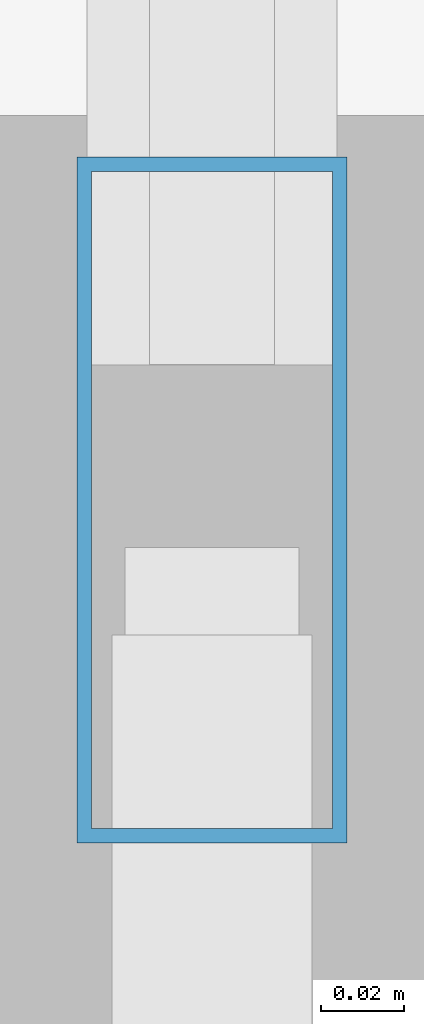
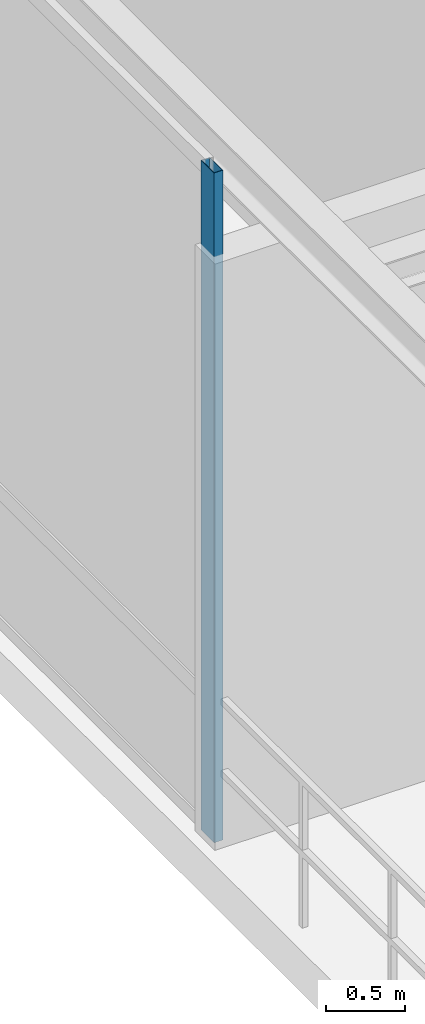
# One storey, part 5 of 21: 1 member, 1 element without a shape of its own.
"""IFC4 building model written with IfcOpenShell, lengths in metres."""

import ifcopenshell
import ifcopenshell.guid

model = None  # the IFC model being written
_history = None  # IfcOwnerHistory: only IFC2X3 demands one
_inside = {}  # id of a spatial element -> (the spatial element, [elements in it])
_under = {}  # id of a project, library or spatial element -> (it, [spatial elements below it])
_declared = {}  # id of a project -> (the project, [libraries it declares])
_typed = {}  # id of a type object -> (the type object, [elements of that type])
_made_of = {}  # id of a material, layer set ... -> (it, [elements and type objects made of it])


def new_model(schema):
    """Start an empty IFC model of exactly this schema.

    Asked for "IFC4X3", IfcOpenShell would pick the latest addendum, in which some entities
    have other attributes; the version numbers below select the first issue.
    IFC2X3 requires an IfcOwnerHistory on every rooted entity: one is made here for all.
    """
    global model, _history
    if schema == "IFC4X3":
        model = ifcopenshell.file(schema_version=(4, 3, 0, 0))
    else:
        model = ifcopenshell.file(schema=schema)
    _inside.clear()
    _under.clear()
    _declared.clear()
    _typed.clear()
    _made_of.clear()
    _history = None
    if model.schema == "IFC2X3":
        org = make("IfcOrganization", Name="unknown")
        user = make(
            "IfcPersonAndOrganization",
            ThePerson=make("IfcPerson", FamilyName="unknown"),
            TheOrganization=org,
        )
        app = make(
            "IfcApplication",
            ApplicationDeveloper=org,
            Version="unknown",
            ApplicationFullName="unknown",
            ApplicationIdentifier="unknown",
        )
        _history = make(
            "IfcOwnerHistory",
            OwningUser=user,
            OwningApplication=app,
            ChangeAction="ADDED",
            CreationDate=0,
        )
    return model


def make(cls, **values):
    """One entity of the class cls with the attributes given. An attribute that is None is left unset."""
    return model.create_entity(
        cls, **{name: value for name, value in values.items() if value is not None}
    )


def rooted(cls, **values):
    """An entity with a GlobalId (a new one), such as an element, a storey or a relation."""
    return make(cls, GlobalId=ifcopenshell.guid.new(), OwnerHistory=_history, **values)


def si_unit(unit_type, name, prefix=None):
    """IfcSIUnit, for example si_unit("LENGTHUNIT", "METRE", prefix="MILLI")."""
    return make("IfcSIUnit", UnitType=unit_type, Prefix=prefix, Name=name)


def assignment(units):
    """IfcUnitAssignment: the units of a project."""
    return None if units is None else make("IfcUnitAssignment", Units=units)


def point(xyz):
    """IfcCartesianPoint."""
    return None if xyz is None else make("IfcCartesianPoint", Coordinates=xyz)


def direction(xyz):
    """IfcDirection."""
    return None if xyz is None else make("IfcDirection", DirectionRatios=xyz)


def frame(location, z_axis=None, x_axis=None):
    """IfcAxis2Placement3D, a coordinate frame: its origin and axes. An axis left out is left unset."""
    return make(
        "IfcAxis2Placement3D",
        Location=point(location),
        Axis=direction(z_axis),
        RefDirection=direction(x_axis),
    )


def frame_2d(location, x_axis=None):
    """IfcAxis2Placement2D, a coordinate frame in the plane: its origin and x axis."""
    return make(
        "IfcAxis2Placement2D", Location=point(location), RefDirection=direction(x_axis)
    )


def origin():
    """The frame at (0, 0, 0) with its axes left unset."""
    return frame((0.0, 0.0, 0.0))


def origin_2d():
    """The frame at (0, 0) in the plane with its x axis left unset."""
    return frame_2d((0.0, 0.0))


def place(relative_to, where):
    """IfcLocalPlacement: puts the frame where relative to a parent placement (None: the world)."""
    return make(
        "IfcLocalPlacement", PlacementRelTo=relative_to, RelativePlacement=where
    )


def context(
    kind, dimensions, precision=None, world=None, true_north=None, identifier=None
):
    """IfcGeometricRepresentationContext, for example the 3D "Model" context."""
    return make(
        "IfcGeometricRepresentationContext",
        ContextIdentifier=identifier,
        ContextType=kind,
        CoordinateSpaceDimension=dimensions,
        Precision=precision,
        WorldCoordinateSystem=world,
        TrueNorth=true_north,
    )


def subcontext(parent, identifier, kind, view, scale=None):
    """IfcGeometricRepresentationSubContext, for example "Body" below "Model"."""
    return make(
        "IfcGeometricRepresentationSubContext",
        ContextIdentifier=identifier,
        ContextType=kind,
        ParentContext=parent,
        TargetScale=scale,
        TargetView=view,
    )


def project(units=None, contexts=None):
    """IfcProject with its units and contexts."""
    return rooted(
        "IfcProject",
        Name="project",
        RepresentationContexts=contexts,
        UnitsInContext=assignment(units),
    )


def spatial(cls, under=None, at=None, **own):
    """A site, building, storey or space (cls), placed at a placement, below another one or the project."""
    s = rooted(cls, ObjectPlacement=at, **own)
    if under is not None:
        _under.setdefault(under.id(), (under, []))[1].append(s)
    return s


def profile(cls, at=None, kind="AREA", **sizes):
    """A parametric profile (cls). Its sizes go by their IFC names, for example OverallWidth=200.0."""
    return make(cls, ProfileType=kind, Position=at, **sizes)


def hollow_rectangle(**sizes):
    """IfcRectangleHollowProfileDef."""
    return profile("IfcRectangleHollowProfileDef", **sizes)


def extrude(swept, where, along, depth):
    """IfcExtrudedAreaSolid: the profile swept, set in the frame where, extruded along a direction by depth."""
    return make(
        "IfcExtrudedAreaSolid",
        SweptArea=swept,
        Position=where,
        ExtrudedDirection=direction(along),
        Depth=depth,
    )


def shape(context_of_items, identifier, shape_type, items):
    """IfcShapeRepresentation: the items that make up one representation, for example the "Body"."""
    return make(
        "IfcShapeRepresentation",
        ContextOfItems=context_of_items,
        RepresentationIdentifier=identifier,
        RepresentationType=shape_type,
        Items=items,
    )


def source(mapping_origin, context_of_items, identifier, shape_type, items):
    """IfcRepresentationMap: a shape defined once, which mapped items show again and again."""
    return make(
        "IfcRepresentationMap",
        MappingOrigin=mapping_origin,
        MappedRepresentation=shape(context_of_items, identifier, shape_type, items),
    )


def transform(
    local_origin,
    x_axis=None,
    y_axis=None,
    z_axis=None,
    scale=None,
    scale2=None,
    scale3=None,
    uniform=True,
):
    """IfcCartesianTransformationOperator3D, or its non-uniform kind. x_axis, y_axis, z_axis: its Axis1, 2, 3."""
    if uniform:
        return make(
            "IfcCartesianTransformationOperator3D",
            Axis1=direction(x_axis),
            Axis2=direction(y_axis),
            LocalOrigin=point(local_origin),
            Scale=scale,
            Axis3=direction(z_axis),
        )
    return make(
        "IfcCartesianTransformationOperator3DnonUniform",
        Axis1=direction(x_axis),
        Axis2=direction(y_axis),
        LocalOrigin=point(local_origin),
        Scale=scale,
        Axis3=direction(z_axis),
        Scale2=scale2,
        Scale3=scale3,
    )


def mapped(mapping_source, mapping_target):
    """IfcMappedItem: shows the shape of a source again, moved by a transform."""
    return make(
        "IfcMappedItem", MappingSource=mapping_source, MappingTarget=mapping_target
    )


def material(Name=None, Category=None):
    """IfcMaterial."""
    return make("IfcMaterial", Name=Name, Category=Category)


def layer(
    of_material, thickness, ventilated=None, Name=None, Category=None, Priority=None
):
    """IfcMaterialLayer: one layer of a wall or slab, of a material (None: an air gap)."""
    return make(
        "IfcMaterialLayer",
        Material=of_material,
        LayerThickness=thickness,
        IsVentilated=ventilated,
        Name=Name,
        Category=Category,
        Priority=Priority,
    )


def layer_set(layers, Name=None):
    """IfcMaterialLayerSet."""
    return make("IfcMaterialLayerSet", MaterialLayers=layers, LayerSetName=Name)


def material_profile(
    of_material, cross_section, Name=None, Category=None, Priority=None
):
    """IfcMaterialProfile: a cross section and its material."""
    return make(
        "IfcMaterialProfile",
        Name=Name,
        Material=of_material,
        Profile=cross_section,
        Priority=Priority,
        Category=Category,
    )


def profile_set(profiles, Name=None, composite=None):
    """IfcMaterialProfileSet."""
    return make(
        "IfcMaterialProfileSet",
        Name=Name,
        MaterialProfiles=profiles,
        CompositeProfile=composite,
    )


def made_of(thing, what):
    """Note that an element or type object is made of a material, layer set ...; save() writes the relation."""
    if what is not None:
        _made_of.setdefault(what.id(), (what, []))[1].append(thing)
    return thing


def type_object(cls, material=None, **own):
    """A type object (cls), such as IfcWallType, which elements share."""
    return made_of(rooted(cls, **own), material)


def type_shapes(of_type, sources):
    """Give a type object the sources (RepresentationMaps) that its elements show as mapped items."""
    of_type.RepresentationMaps = sources


def element(
    cls,
    number,
    at=None,
    inside=None,
    cuts=None,
    type_object=None,
    material=None,
    context=None,
    identifier="Body",
    shape_type=None,
    held_by="IfcProductDefinitionShape",
    body=None,
    shapes=None,
    **own,
):
    """One element of the class cls, such as IfcWall. Its Tag is "e" and its number.

    at: its placement. inside: the storey or other place that contains it. cuts: it is an
    opening in that element (IfcRelVoidsElement). A single representation is given by context,
    identifier, shape_type and body (its items); several are given by shapes. held_by: the class
    of the entity that holds the representations. save() writes the other relations.
    """
    e = rooted(cls, Tag="e%d" % number, ObjectPlacement=at, **own)
    if body is not None:
        shapes = [shape(context, identifier, shape_type, body)]
    if shapes is not None:
        e.Representation = make(held_by, Representations=shapes)
    if inside is not None:
        _inside.setdefault(inside.id(), (inside, []))[1].append(e)
    if cuts is not None:
        rooted(
            "IfcRelVoidsElement", RelatingBuildingElement=cuts, RelatedOpeningElement=e
        )
    if type_object is not None:
        _typed.setdefault(type_object.id(), (type_object, []))[1].append(e)
    return made_of(e, material)


def aggregate(whole, parts):
    """IfcRelAggregates: a whole, such as a stair, and the parts it consists of."""
    return rooted("IfcRelAggregates", RelatingObject=whole, RelatedObjects=parts)


def save(model, path):
    """Write the relations noted so far, then the file.

    IfcRelAggregates (storeys below a building ...), IfcRelContainedInSpatialStructure (elements
    in a storey), IfcRelDefinesByType, IfcRelAssociatesMaterial and IfcRelDeclares: one each for
    every whole, place, type object, material and project.
    """
    for whole, parts in _under.values():
        aggregate(whole, parts)
    for where, things in _inside.values():
        rooted(
            "IfcRelContainedInSpatialStructure",
            RelatedElements=things,
            RelatingStructure=where,
        )
    for kind, things in _typed.values():
        rooted("IfcRelDefinesByType", RelatedObjects=things, RelatingType=kind)
    for what, things in _made_of.values():
        rooted("IfcRelAssociatesMaterial", RelatedObjects=things, RelatingMaterial=what)
    for by, libraries in _declared.values():
        rooted("IfcRelDeclares", RelatingContext=by, RelatedDefinitions=libraries)
    model.write(path)


model = new_model("IFC4")

# Units and contexts
model_context = context("Model", 3, precision=1e-05, world=origin(), true_north=direction((0.0, 1.0)))
body_context = subcontext(model_context, "Body", "Model", "MODEL_VIEW")
ifc_project = project(units=[si_unit("LENGTHUNIT", "METRE"), si_unit("AREAUNIT", "SQUARE_METRE"), si_unit("VOLUMEUNIT", "CUBIC_METRE"), si_unit("PLANEANGLEUNIT", "RADIAN"), si_unit("MASSUNIT", "GRAM", prefix="KILO")], contexts=[model_context])

# Site, building, storey
site_placement = place(None, origin())
site = spatial("IfcSite", under=ifc_project, at=site_placement, CompositionType="ELEMENT")
building_placement = place(site_placement, origin())
building = spatial("IfcBuilding", under=site, at=building_placement, Name="Varnel Quay Broadcast Tower", CompositionType="ELEMENT")
storey_placement = place(building_placement, frame((0.0, 0.0, 234.0)))
storey = spatial("IfcBuildingStorey", under=building, at=storey_placement, Name="L58", CompositionType="ELEMENT", Elevation=234.0)

# Curtain wall, member
ifc_material = material(Name="Anodised Bronze Aluminium 6063-T6", Category="aluminium")
ifc_layer = layer(ifc_material, 0.18994140625, Name="Anodised Bronze Aluminium 6063-T6")
ifc_layer_set = layer_set([ifc_layer], Name="Anodised Bronze Aluminium 6063-T6")
curtain_wall_type = type_object("IfcCurtainWallType", Name="CW_UpperTower", PredefinedType="NOTDEFINED", material=ifc_layer_set)
curtain_wall_placement = place(storey_placement, origin())
curtain_wall = element("IfcCurtainWall", 1, at=curtain_wall_placement, inside=storey, type_object=curtain_wall_type, Name="L58 West Plant Curtain Wall", PredefinedType="NOTDEFINED")
ifc_material_profile = material_profile(ifc_material, hollow_rectangle(XDim=0.06494140625, YDim=0.1650390625, WallThickness=0.00341796875, at=origin_2d()), Name="ALU65X165X3.5")
ifc_profile_set = profile_set([ifc_material_profile], Name="Anodised Bronze Aluminium 6063-T6")
member_type = type_object("IfcMemberType", Name="Mull_CWS-03", PredefinedType="MULLION", material=ifc_profile_set)
shared_shape = source(origin(), body_context, "Body", "SweptSolid", [
    extrude(hollow_rectangle(XDim=0.06494140625, YDim=0.1650390625, WallThickness=0.00341796875, at=origin_2d()), origin(), (0.0, 0.0, 1.0), 5.14990234375),
])
type_shapes(member_type, [shared_shape])
member_placement = place(storey_placement, frame((9.64990234375, 24.83251953125, 0.0), z_axis=(0.0, 0.0, 1.0), x_axis=(-1.0, 0.0, 0.0)))
member = element("IfcMember", 2, at=member_placement, type_object=member_type, Name="CWS-03 mullion 1", PredefinedType="MULLION", context=body_context, shape_type="MappedRepresentation", body=[
    mapped(shared_shape, transform((0.0, 0.0, 0.0), x_axis=(1.0, 0.0, 0.0), y_axis=(0.0, 1.0, 0.0), z_axis=(0.0, 0.0, 1.0), scale=1.0)),
])
aggregate(curtain_wall, [member])

save(model, "model.ifc")
